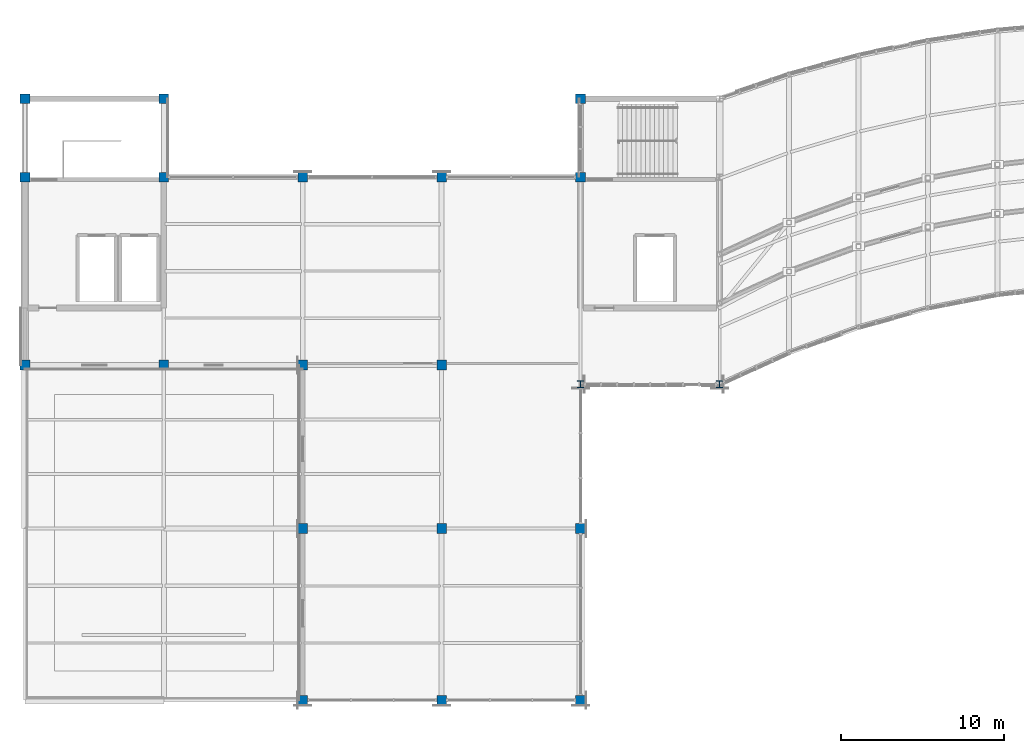
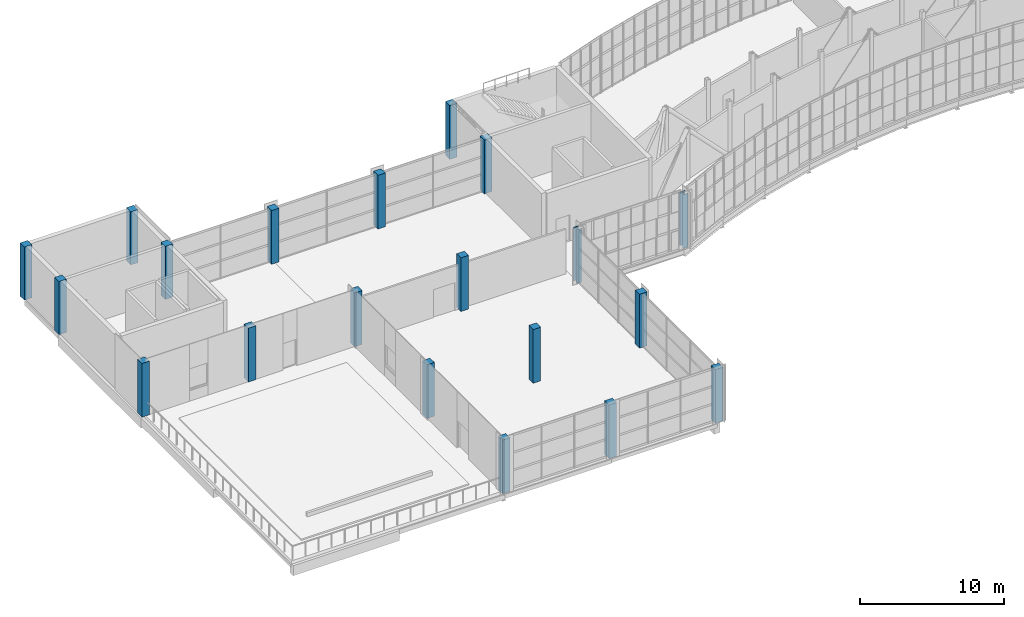
# One storey, part 1 of 46: 20 columns.
"""IFC4 building model written with IfcOpenShell, lengths in metres."""

from ifc_helpers import new_model, si_unit, direction, frame, origin, origin_2d, place, context, subcontext, project, spatial, rectangle, i_section, extrude, material, material_profile, profile_set, type_object, element, save


model = new_model("IFC4")

# Units and contexts
model_context = context("Model", 3, precision=1e-05, world=origin(), true_north=direction((0.0, 1.0)))
body_context = subcontext(model_context, "Body", "Model", "MODEL_VIEW")
ifc_project = project(units=[si_unit("LENGTHUNIT", "METRE"), si_unit("AREAUNIT", "SQUARE_METRE"), si_unit("VOLUMEUNIT", "CUBIC_METRE"), si_unit("PLANEANGLEUNIT", "RADIAN"), si_unit("MASSUNIT", "GRAM", prefix="KILO")], contexts=[model_context])

# Site, building, storey
site_placement = place(None, origin())
site = spatial("IfcSite", under=ifc_project, at=site_placement, CompositionType="ELEMENT")
building_placement = place(site_placement, origin())
building = spatial("IfcBuilding", under=site, at=building_placement, Name="Solvikara Media Centre", CompositionType="ELEMENT")
storey_placement = place(building_placement, frame((0.0, 0.0, 24.60009765625)))
storey = spatial("IfcBuildingStorey", under=building, at=storey_placement, Name="L05", CompositionType="ELEMENT", Elevation=24.60009765625)

# Columns
ifc_material_1 = material(Name="Concrete fc' 45 MPa (C45/55)", Category="concrete")
ifc_material_profile_1 = material_profile(ifc_material_1, rectangle(XDim=0.60009765625, YDim=0.60009765625, at=origin_2d()), Name="RC 600x600")
ifc_profile_set_1 = profile_set([ifc_material_profile_1], Name="Concrete fc' 45 MPa (C45/55)")
column_type_1 = type_object("IfcColumnType", Name="CL-01", PredefinedType="COLUMN", material=ifc_profile_set_1)
column_1_placement = place(storey_placement, frame((34.0, 20.5, 0.0), z_axis=(0.0, 0.0, 1.0), x_axis=(1.0, 0.0, 0.0)))
element("IfcColumn", 1, at=column_1_placement, inside=storey, type_object=column_type_1, Name="C-L05-0340-0205", PredefinedType="COLUMN", context=body_context, shape_type="SweptSolid", body=[
    extrude(rectangle(XDim=0.60009765625, YDim=0.60009765625, at=origin_2d()), origin(), (0.0, 0.0, 1.0), 4.539794921875),
])
for number, where, z_axis, x_axis, name in (
    (2, (34.0, 32.0, 0.0), (0.0, 0.0, 1.0), (1.0, 0.0, 0.0), "C-L05-0340-0320"),
    (3, (34.0, 36.800048828125, 0.0), (0.0, 0.0, 1.0), (1.0, 0.0, 0.0), "C-L05-0340-0368"),
):
    element("IfcColumn", number, at=place(storey_placement, frame(where, z_axis=z_axis, x_axis=x_axis)), inside=storey, type_object=column_type_1, Name=name, PredefinedType="COLUMN", context=body_context, shape_type="SweptSolid", body=[
        extrude(rectangle(XDim=0.60009765625, YDim=0.60009765625, at=origin_2d()), origin(), (0.0, 0.0, 1.0), 4.489990234375),
    ])
column_2_placement = place(storey_placement, frame((42.5, 20.5, 0.0), z_axis=(0.0, 0.0, 1.0), x_axis=(1.0, 0.0, 0.0)))
element("IfcColumn", 4, at=column_2_placement, inside=storey, type_object=column_type_1, Name="C-L05-0425-0205", PredefinedType="COLUMN", context=body_context, shape_type="SweptSolid", body=[
    extrude(rectangle(XDim=0.60009765625, YDim=0.60009765625, at=origin_2d()), origin(), (0.0, 0.0, 1.0), 4.539794921875),
])
for number, where, z_axis, x_axis, name in (
    (5, (42.5, 32.0, 0.0), (0.0, 0.0, 1.0), (1.0, 0.0, 0.0), "C-L05-0425-0320"),
    (6, (42.5, 36.800048828125, 0.0), (0.0, 0.0, 1.0), (1.0, 0.0, 0.0), "C-L05-0425-0368"),
):
    element("IfcColumn", number, at=place(storey_placement, frame(where, z_axis=z_axis, x_axis=x_axis)), inside=storey, type_object=column_type_1, Name=name, PredefinedType="COLUMN", context=body_context, shape_type="SweptSolid", body=[
        extrude(rectangle(XDim=0.60009765625, YDim=0.60009765625, at=origin_2d()), origin(), (0.0, 0.0, 1.0), 4.489990234375),
    ])
for number, where, z_axis, x_axis, name in (
    (7, (51.0, 0.0, 0.0), (0.0, 0.0, 1.0), (1.0, 0.0, 0.0), "C-L05-0510-0000"),
    (8, (51.0, 10.5, 0.0), (0.0, 0.0, 1.0), (1.0, 0.0, 0.0), "C-L05-0510-0105"),
    (9, (51.0, 20.5, 0.0), (0.0, 0.0, 1.0), (1.0, 0.0, 0.0), "C-L05-0510-0205"),
    (10, (51.0, 32.0, 0.0), (0.0, 0.0, 1.0), (1.0, 0.0, 0.0), "C-L05-0510-0320"),
    (11, (59.5, 0.0, 0.0), (0.0, 0.0, 1.0), (1.0, 0.0, 0.0), "C-L05-0595-0000"),
    (12, (59.5, 10.5, 0.0), (0.0, 0.0, 1.0), (1.0, 0.0, 0.0), "C-L05-0595-0105"),
    (13, (59.5, 20.5, 0.0), (0.0, 0.0, 1.0), (1.0, 0.0, 0.0), "C-L05-0595-0205"),
    (14, (59.5, 32.0, 0.0), (0.0, 0.0, 1.0), (1.0, 0.0, 0.0), "C-L05-0595-0320"),
    (15, (68.0, 0.0, 0.0), (0.0, 0.0, 1.0), (1.0, 0.0, 0.0), "C-L05-0680-0000"),
    (16, (68.0, 10.5, 0.0), (0.0, 0.0, 1.0), (1.0, 0.0, 0.0), "C-L05-0680-0105"),
    (17, (68.0, 32.0, 0.0), (0.0, 0.0, 1.0), (1.0, 0.0, 0.0), "C-L05-0680-0320"),
    (18, (68.0, 36.800048828125, 0.0), (0.0, 0.0, 1.0), (1.0, 0.0, 0.0), "C-L05-0680-0368"),
):
    element("IfcColumn", number, at=place(storey_placement, frame(where, z_axis=z_axis, x_axis=x_axis)), inside=storey, type_object=column_type_1, Name=name, PredefinedType="COLUMN", context=body_context, shape_type="SweptSolid", body=[
        extrude(rectangle(XDim=0.60009765625, YDim=0.60009765625, at=origin_2d()), origin(), (0.0, 0.0, 1.0), 4.539794921875),
    ])
ifc_material_2 = material(Name="Steel S355JR", Category="steel")
ifc_material_profile_2 = material_profile(ifc_material_2, i_section(OverallWidth=0.406982421875, OverallDepth=0.427978515625, WebThickness=0.02001953125, FlangeThickness=0.034912109375, at=origin_2d()), Name="H 428x407x20x35")
ifc_profile_set_2 = profile_set([ifc_material_profile_2], Name="Steel S355JR")
column_type_2 = type_object("IfcColumnType", Name="CL-20", PredefinedType="COLUMN", material=ifc_profile_set_2)
for number, where, z_axis, x_axis, name in (
    (19, (68.0, 19.323974609375, 0.0), (0.0, 0.0, 1.0), (1.0, 0.0, 0.0), "C-L05-0680-0193"),
    (20, (76.5, 19.323974609375, 0.0), (0.0, 0.0, 1.0), (1.0, 0.0, 0.0), "C-L05-0765-0193"),
):
    element("IfcColumn", number, at=place(storey_placement, frame(where, z_axis=z_axis, x_axis=x_axis)), inside=storey, type_object=column_type_2, Name=name, PredefinedType="COLUMN", context=body_context, shape_type="SweptSolid", body=[
        extrude(i_section(OverallWidth=0.406982421875, OverallDepth=0.427978515625, WebThickness=0.02001953125, FlangeThickness=0.034912109375, at=origin_2d()), origin(), (0.0, 0.0, 1.0), 4.539794921875),
    ])

save(model, "model.ifc")
